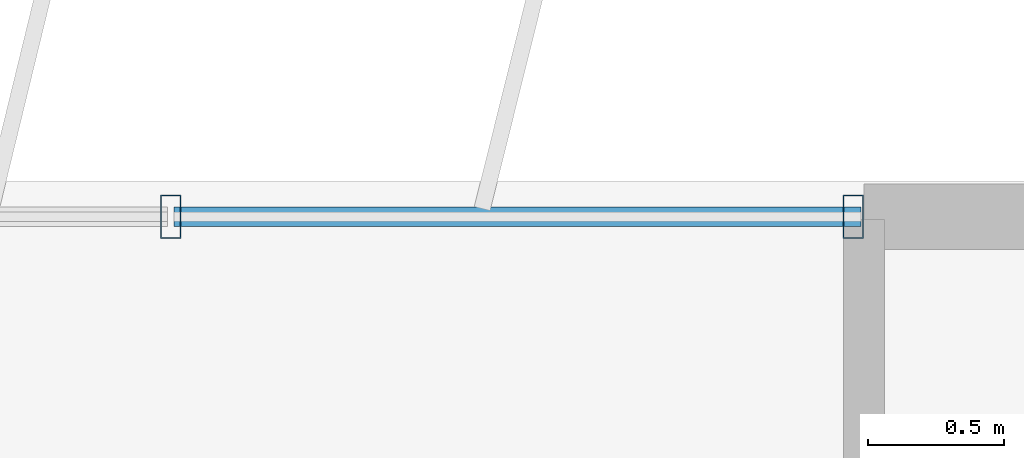
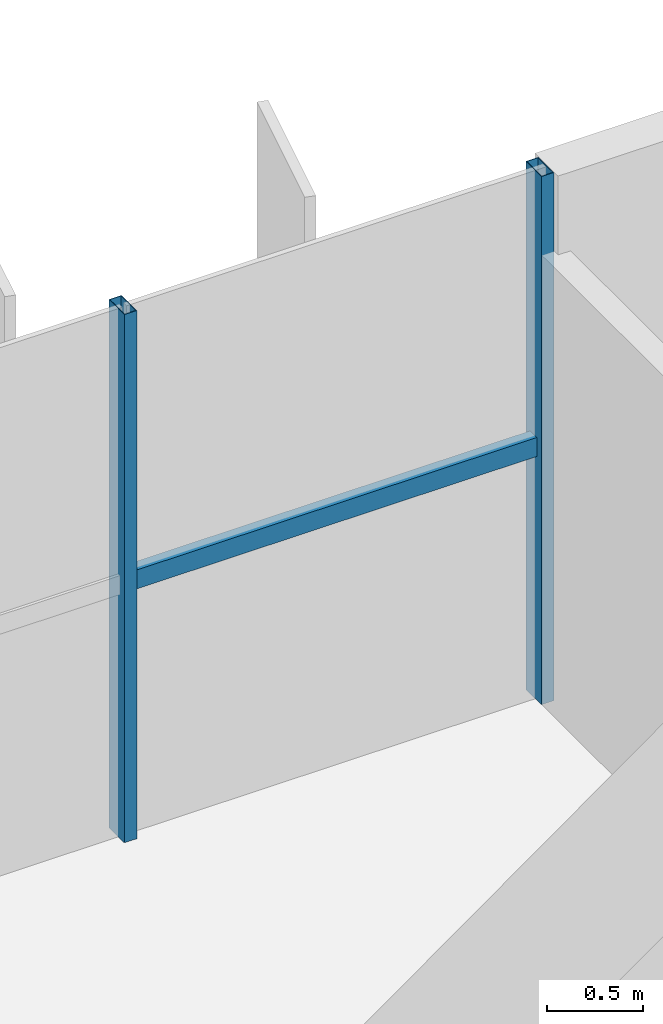
# One storey, part 12 of 21: 3 members, 1 element without a shape of its own.
"""IFC4 building model written with IfcOpenShell, lengths in metres."""

from ifc_helpers import new_model, si_unit, direction, frame, origin, origin_2d, place, context, subcontext, project, spatial, hollow_rectangle, extrude, source, transform, mapped, material, material_profile, profile_set, type_object, element, aggregate, save


model = new_model("IFC4")

# Units and contexts
model_context = context("Model", 3, precision=1e-05, world=origin(), true_north=direction((0.0, 1.0)))
body_context = subcontext(model_context, "Body", "Model", "MODEL_VIEW")
ifc_project = project(units=[si_unit("LENGTHUNIT", "METRE"), si_unit("AREAUNIT", "SQUARE_METRE"), si_unit("VOLUMEUNIT", "CUBIC_METRE"), si_unit("PLANEANGLEUNIT", "RADIAN"), si_unit("MASSUNIT", "GRAM", prefix="KILO")], contexts=[model_context])

# Site, building, storey
site_placement = place(None, origin())
site = spatial("IfcSite", under=ifc_project, at=site_placement, CompositionType="ELEMENT")
building_placement = place(site_placement, origin())
building = spatial("IfcBuilding", under=site, at=building_placement, Name="Trelvane Seafront Commons", CompositionType="ELEMENT")
storey_placement = place(building_placement, frame((0.0, 0.0, 157.300048828125)))
storey = spatial("IfcBuildingStorey", under=building, at=storey_placement, Name="L41", CompositionType="ELEMENT", Elevation=157.300048828125)

# Curtain wall, members
ifc_material = material(Name="Anodised pale-silver aluminium", Category="aluminium")
curtain_wall_type = type_object("IfcCurtainWallType", Name="ARCH-CW5-UPTOWER", PredefinedType="NOTDEFINED", material=ifc_material)
curtain_wall_placement = place(storey_placement, origin())
curtain_wall = element("IfcCurtainWall", 1, at=curtain_wall_placement, inside=storey, type_object=curtain_wall_type, Name="CW-L41-0068", PredefinedType="NOTDEFINED")
ifc_material_profile_1 = material_profile(ifc_material, hollow_rectangle(XDim=0.070068359375, YDim=0.1201171875, WallThickness=0.00390625, at=origin_2d()), Name="TRAN-70x120x4")
ifc_profile_set_1 = profile_set([ifc_material_profile_1], Name="Anodised pale-silver aluminium")
member_type_1 = type_object("IfcMemberType", Name="ARCH-CW-TRAN-120", PredefinedType="USERDEFINED", material=ifc_profile_set_1)
shared_shape_1 = source(origin(), body_context, "Body", "SweptSolid", [
    extrude(hollow_rectangle(XDim=0.070068359375, YDim=0.1201171875, WallThickness=0.00390625, at=origin_2d()), origin(), (0.0, 0.0, 1.0), 2.517333984375),
])
member_1_placement = place(storey_placement, frame((56.270751953125, 48.3701171875, 1.60791015625), z_axis=(1.0, 0.0, 0.0), x_axis=(0.0, 1.0, 0.0)))
member_1 = element("IfcMember", 2, at=member_1_placement, type_object=member_type_1, Name="CW-L41-0068-T16", ObjectType="TRANSOM", PredefinedType="USERDEFINED", context=body_context, shape_type="MappedRepresentation", body=[
    mapped(shared_shape_1, transform((0.0, 0.0, 0.0), x_axis=(1.0, 0.0, 0.0), y_axis=(0.0, 1.0, 0.0), z_axis=(0.0, 0.0, 1.0), scale=1.0)),
])
ifc_material_profile_2 = material_profile(ifc_material, hollow_rectangle(XDim=0.074951171875, YDim=0.159912109375, WallThickness=0.00390625, at=origin_2d()), Name="MULL-75x160x4")
ifc_profile_set_2 = profile_set([ifc_material_profile_2], Name="Anodised pale-silver aluminium")
member_type_2 = type_object("IfcMemberType", Name="ARCH-CW-MULL-160", PredefinedType="MULLION", material=ifc_profile_set_2)
shared_shape_2 = source(origin(), body_context, "Body", "SweptSolid", [
    extrude(hollow_rectangle(XDim=0.074951171875, YDim=0.159912109375, WallThickness=0.00390625, at=origin_2d()), origin(), (0.0, 0.0, 1.0), 3.349853515625),
])
member_2_placement = place(storey_placement, frame((56.2587890625, 48.3701171875, 0.0), z_axis=(0.0, 0.0, 1.0), x_axis=(1.0, 0.0, 0.0)))
member_2 = element("IfcMember", 3, at=member_2_placement, type_object=member_type_2, Name="CW-L41-0068-M16", PredefinedType="MULLION", context=body_context, shape_type="MappedRepresentation", body=[
    mapped(shared_shape_2, transform((0.0, 0.0, 0.0), x_axis=(1.0, 0.0, 0.0), y_axis=(0.0, 1.0, 0.0), z_axis=(0.0, 0.0, 1.0), scale=1.0)),
])
member_3_placement = place(storey_placement, frame((58.760009765625, 48.3701171875, 0.0), z_axis=(0.0, 0.0, 1.0), x_axis=(1.0, 0.0, 0.0)))
member_3 = element("IfcMember", 4, at=member_3_placement, type_object=member_type_2, Name="CW-L41-0068-M17", PredefinedType="MULLION", context=body_context, shape_type="MappedRepresentation", body=[
    mapped(shared_shape_2, transform((0.0, 0.0, 0.0), x_axis=(1.0, 0.0, 0.0), y_axis=(0.0, 1.0, 0.0), z_axis=(0.0, 0.0, 1.0), scale=1.0)),
])
aggregate(curtain_wall, [member_2, member_3, member_1])

save(model, "model.ifc")
